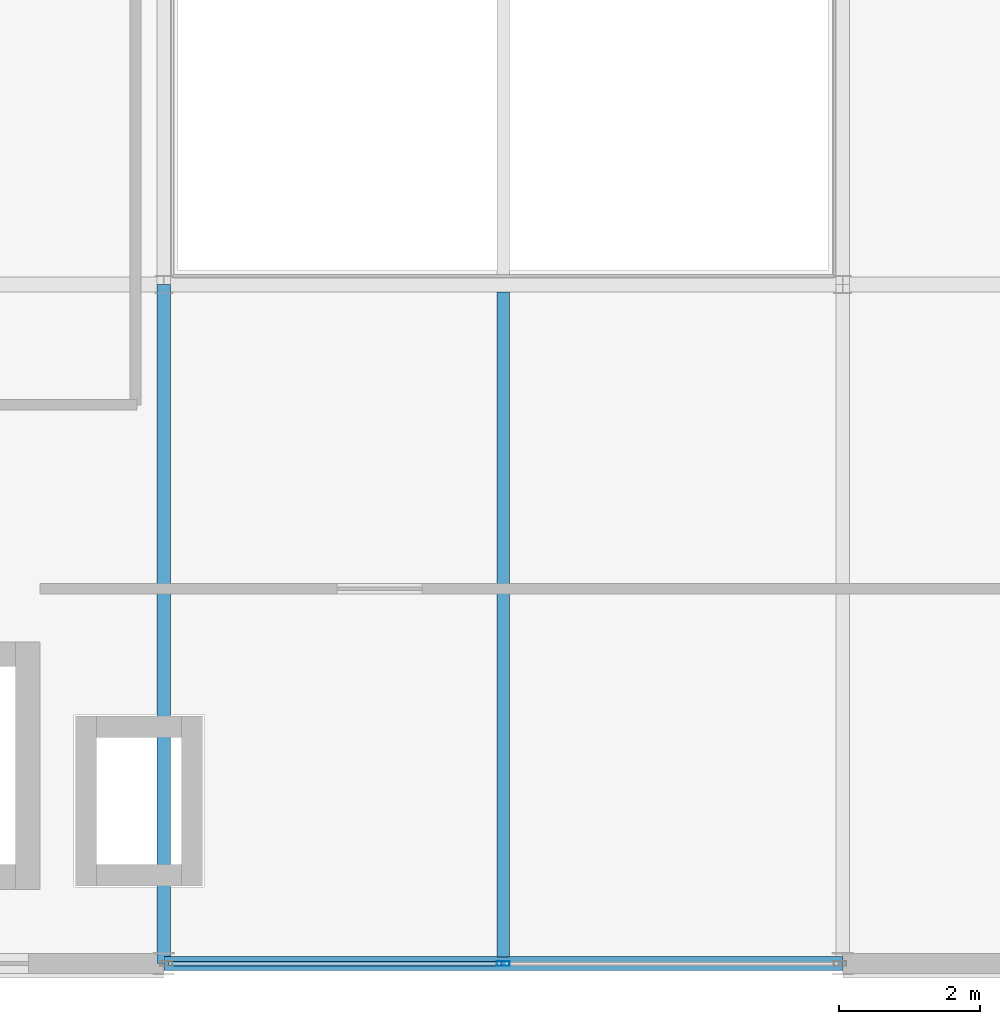
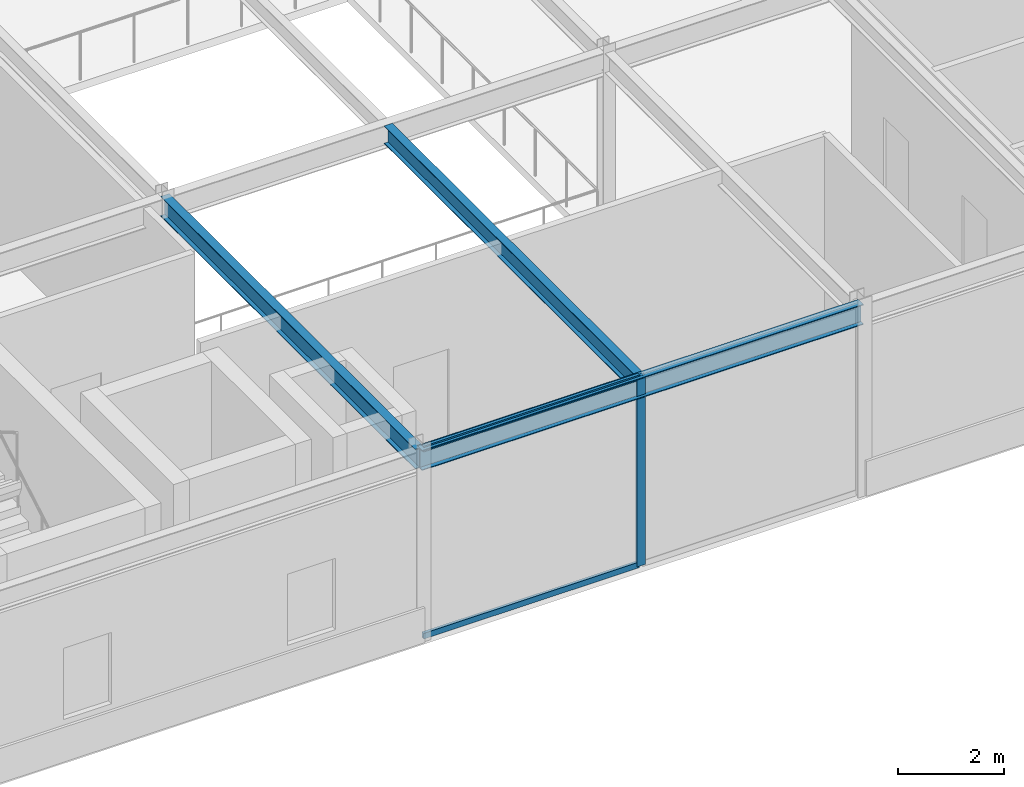
# One storey, part 22 of 157: 3 beams, 3 members, 1 element without a shape of its own.
"""IFC4 building model written with IfcOpenShell, lengths in metres."""

from ifc_helpers import new_model, si_unit, direction, frame, origin, origin_2d, place, context, subcontext, project, spatial, hollow_rectangle, i_section, extrude, material, material_profile, profile_set, type_object, element, aggregate, save


model = new_model("IFC4")

# Units and contexts
model_context = context("Model", 3, precision=1e-05, world=origin(), true_north=direction((0.0, 1.0)))
body_context = subcontext(model_context, "Body", "Model", "MODEL_VIEW")
ifc_project = project(units=[si_unit("LENGTHUNIT", "METRE"), si_unit("AREAUNIT", "SQUARE_METRE"), si_unit("VOLUMEUNIT", "CUBIC_METRE"), si_unit("PLANEANGLEUNIT", "RADIAN"), si_unit("MASSUNIT", "GRAM", prefix="KILO")], contexts=[model_context])

# Site, building, storey
site_placement = place(None, origin())
site = spatial("IfcSite", under=ifc_project, at=site_placement, CompositionType="ELEMENT")
building_placement = place(site_placement, origin())
building = spatial("IfcBuilding", under=site, at=building_placement, Name="Almandine Court Research Institute", CompositionType="ELEMENT")
storey_placement = place(building_placement, frame((0.0, 0.0, 5.25)))
storey = spatial("IfcBuildingStorey", under=building, at=storey_placement, Name="L01", CompositionType="ELEMENT", Elevation=5.25)

# Beams
ifc_material_1 = material(Name="Steel ASTM A992 Grade 50", Category="steel")
ifc_material_profile_1 = material_profile(ifc_material_1, i_section(OverallWidth=0.18994140625, OverallDepth=0.45703125, WebThickness=0.009033203125, FlangeThickness=0.014892578125, at=origin_2d()), Name="W460x74")
ifc_profile_set_1 = profile_set([ifc_material_profile_1], Name="Steel ASTM A992 Grade 50")
beam_type_1 = type_object("IfcBeamType", Name="Beam-B-01", PredefinedType="BEAM", material=ifc_profile_set_1)
beam_1_placement = place(storey_placement, frame((15.60009765625, 6.0, 4.14111328125), z_axis=(0.0, 1.0, 0.0), x_axis=(-1.0, 0.0, 0.0)))
element("IfcBeam", 1, at=beam_1_placement, inside=storey, type_object=beam_type_1, Name="L01 V1 Primary Y Girder", PredefinedType="BEAM", context=body_context, shape_type="SweptSolid", body=[
    extrude(i_section(OverallWidth=0.18994140625, OverallDepth=0.45703125, WebThickness=0.009033203125, FlangeThickness=0.014892578125, at=origin_2d()), origin(), (0.0, 0.0, 1.0), 9.60009765625),
])
ifc_material_profile_2 = material_profile(ifc_material_1, i_section(OverallWidth=0.178955078125, OverallDepth=0.409912109375, WebThickness=0.009033203125, FlangeThickness=0.013916015625, at=origin_2d()), Name="W410x67")
ifc_profile_set_2 = profile_set([ifc_material_profile_2], Name="Steel ASTM A992 Grade 50")
beam_type_2 = type_object("IfcBeamType", Name="Beam-B-02", PredefinedType="JOIST", material=ifc_profile_set_2)
beam_2_placement = place(storey_placement, frame((20.39990234375, 6.094970703125, 4.1650390625), z_axis=(0.0, 1.0, 0.0), x_axis=(-1.0, 0.0, 0.0)))
element("IfcBeam", 2, at=beam_2_placement, inside=storey, type_object=beam_type_2, Name="L01 V1 Composite Secondary Beam", PredefinedType="JOIST", context=body_context, shape_type="SweptSolid", body=[
    extrude(i_section(OverallWidth=0.178955078125, OverallDepth=0.409912109375, WebThickness=0.009033203125, FlangeThickness=0.013916015625, at=origin_2d()), origin(), (0.0, 0.0, 1.0), 9.401123046875),
])
ifc_material_profile_3 = material_profile(ifc_material_1, i_section(OverallWidth=0.193115234375, OverallDepth=0.466064453125, WebThickness=0.010986328125, FlangeThickness=0.01904296875, at=origin_2d()), Name="W460x97")
ifc_profile_set_3 = profile_set([ifc_material_profile_3], Name="Steel ASTM A992 Grade 50")
beam_type_3 = type_object("IfcBeamType", Name="Beam-G-06-E", PredefinedType="SPANDREL", material=ifc_profile_set_3)
beam_3_placement = place(storey_placement, frame((15.60009765625, 6.0, 4.136962890625), z_axis=(1.0, 0.0, 0.0), x_axis=(0.0, 1.0, 0.0)))
element("IfcBeam", 3, at=beam_3_placement, inside=storey, type_object=beam_type_3, Name="L01 V1 Primary X Girder", PredefinedType="SPANDREL", context=body_context, shape_type="SweptSolid", body=[
    extrude(i_section(OverallWidth=0.193115234375, OverallDepth=0.466064453125, WebThickness=0.010986328125, FlangeThickness=0.01904296875, at=origin_2d()), origin(), (0.0, 0.0, 1.0), 9.599853515625),
])

# Curtain wall, members
ifc_material_2 = material(Name="Unitised Curtain Wall Framing and Solar Glazing", Category="glass")
curtain_wall_type = type_object("IfcCurtainWallType", Name="CW-CWJ-02", PredefinedType="USERDEFINED", material=ifc_material_2)
curtain_wall_placement = place(storey_placement, origin())
curtain_wall = element("IfcCurtainWall", 4, at=curtain_wall_placement, inside=storey, type_object=curtain_wall_type, Name="L01 Lecture Foyer South Jali Curtain Wall", ObjectType="SOLAR JALI SCREEN", PredefinedType="USERDEFINED")
ifc_material_3 = material(Name="Anodised Aluminium AW-6063-T6", Category="aluminium")
ifc_material_profile_4 = material_profile(ifc_material_3, hollow_rectangle(XDim=0.06494140625, YDim=0.179931640625, WallThickness=0.00390625, at=origin_2d()), Name="ALU RHS 65x180x4")
ifc_profile_set_4 = profile_set([ifc_material_profile_4], Name="Anodised Aluminium AW-6063-T6")
member_type_1 = type_object("IfcMemberType", Name="CWMul-65x180", PredefinedType="MULLION", material=ifc_profile_set_4)
member_1_placement = place(storey_placement, frame((20.39990234375, 6.0, 0.0), z_axis=(0.0, 0.0, 1.0), x_axis=(0.0, -1.0, 0.0)))
member_1 = element("IfcMember", 5, at=member_1_placement, type_object=member_type_1, Name="CWJ-02 mullion 2", PredefinedType="MULLION", context=body_context, shape_type="SweptSolid", body=[
    extrude(hollow_rectangle(XDim=0.06494140625, YDim=0.179931640625, WallThickness=0.00390625, at=origin_2d()), origin(), (0.0, 0.0, 1.0), 4.3701171875),
])
ifc_material_profile_5 = material_profile(ifc_material_3, hollow_rectangle(XDim=0.06494140625, YDim=0.1298828125, WallThickness=0.00390625, at=origin_2d()), Name="ALU RHS 65x130x4")
ifc_profile_set_5 = profile_set([ifc_material_profile_5], Name="Anodised Aluminium AW-6063-T6")
member_type_2 = type_object("IfcMemberType", Name="CWTrn-65x130", PredefinedType="NOTDEFINED", material=ifc_profile_set_5)
member_2_placement = place(storey_placement, frame((20.367431640625, 6.0, 0.032470703125), z_axis=(-1.0, 0.0, 0.0), x_axis=(0.0, -1.0, 0.0)))
member_2 = element("IfcMember", 6, at=member_2_placement, type_object=member_type_2, Name="CWJ-02 transom 2.1", ObjectType="TRANSOM", PredefinedType="USERDEFINED", context=body_context, shape_type="SweptSolid", body=[
    extrude(hollow_rectangle(XDim=0.06494140625, YDim=0.1298828125, WallThickness=0.00390625, at=origin_2d()), origin(), (0.0, 0.0, 1.0), 4.698486328125),
])
member_3_placement = place(storey_placement, frame((20.367431640625, 6.0, 4.33740234375), z_axis=(-1.0, 0.0, 0.0), x_axis=(0.0, -1.0, 0.0)))
member_3 = element("IfcMember", 7, at=member_3_placement, type_object=member_type_2, Name="CWJ-02 transom 2.2", ObjectType="TRANSOM", PredefinedType="USERDEFINED", context=body_context, shape_type="SweptSolid", body=[
    extrude(hollow_rectangle(XDim=0.06494140625, YDim=0.1298828125, WallThickness=0.00390625, at=origin_2d()), origin(), (0.0, 0.0, 1.0), 4.698486328125),
])
aggregate(curtain_wall, [member_1, member_2, member_3])

save(model, "model.ifc")
